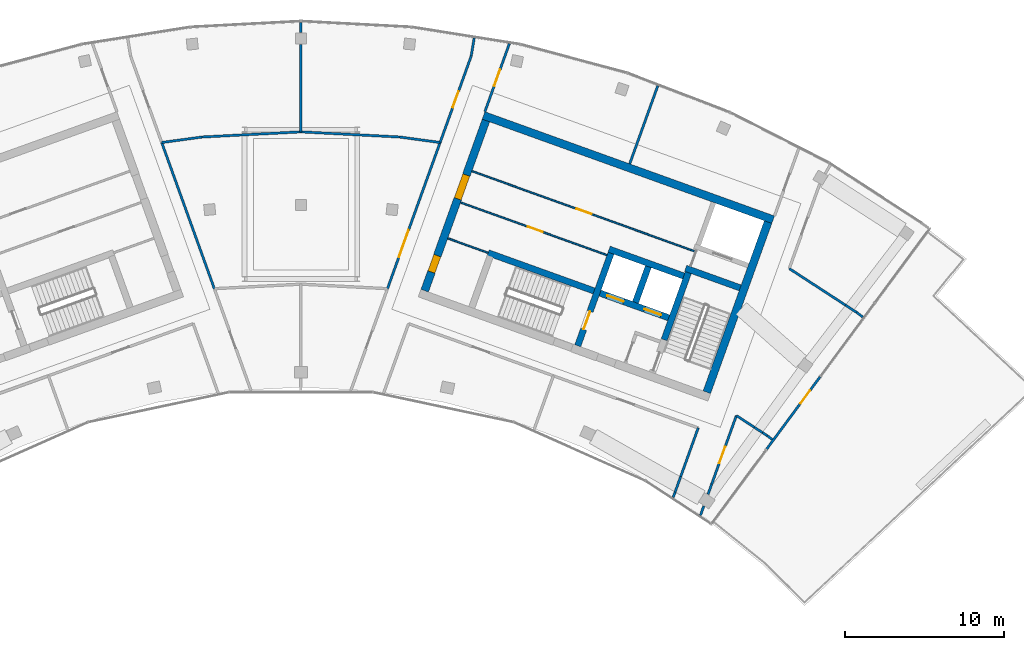
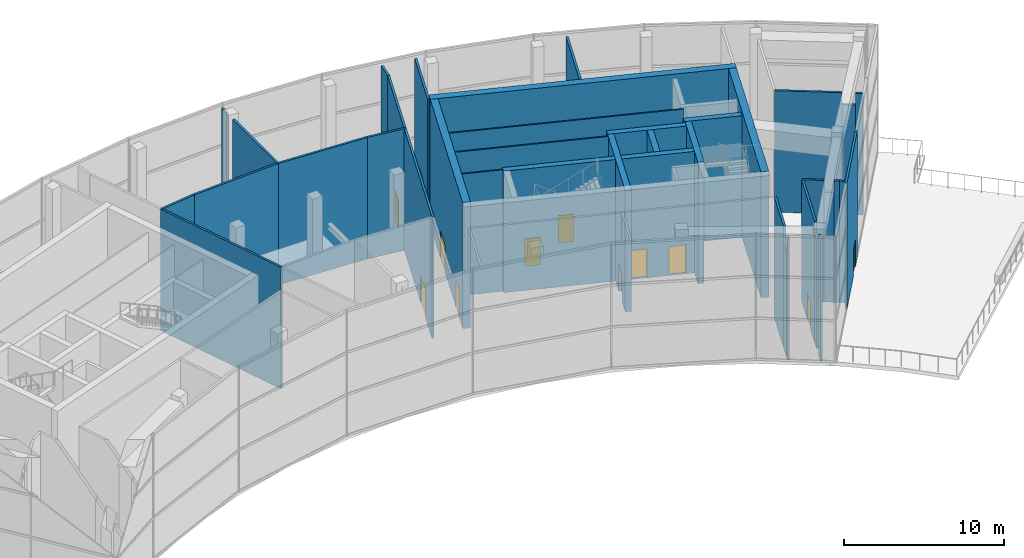
# One storey, part 15 of 20: 38 walls, 12 doors, 12 openings.
"""IFC4 building model written with IfcOpenShell, lengths in metres."""

from ifc_helpers import new_model, si_unit, direction, frame, frame_2d, origin, place, context, subcontext, project, spatial, rectangle, extrude, material, layer, layer_set, type_object, element, fill, save


model = new_model("IFC4")

# Units and contexts
model_context = context("Model", 3, precision=1e-05, world=origin(), true_north=direction((0.0, 1.0)))
body_context = subcontext(model_context, "Body", "Model", "MODEL_VIEW")
ifc_project = project(units=[si_unit("LENGTHUNIT", "METRE"), si_unit("AREAUNIT", "SQUARE_METRE"), si_unit("VOLUMEUNIT", "CUBIC_METRE"), si_unit("PLANEANGLEUNIT", "RADIAN"), si_unit("MASSUNIT", "GRAM", prefix="KILO")], contexts=[model_context])

# Site, building, storey
site_placement = place(None, origin())
site = spatial("IfcSite", under=ifc_project, at=site_placement, CompositionType="ELEMENT")
building_placement = place(site_placement, origin())
building = spatial("IfcBuilding", under=site, at=building_placement, Name="Stone Belt Terrace Tower", CompositionType="ELEMENT")
storey_placement = place(building_placement, frame((0.0, 0.0, 323.0)))
storey = spatial("IfcBuildingStorey", under=building, at=storey_placement, Name="L78", CompositionType="ELEMENT", Elevation=323.0)

# Wall, opening, door
ifc_material_1 = material(Name="Terracotta coloured glazed ceramic", Category="masonry")
ifc_layer_1 = layer(ifc_material_1, 0.14990234375)
ifc_layer_set_1 = layer_set([ifc_layer_1], Name="Ceramic rain-screen wall 150")
wall_type_1 = type_object("IfcWallType", Name="Ceramic rain-screen wall 150", PredefinedType="SOLIDWALL", material=ifc_layer_set_1)
wall_1_placement = place(storey_placement, frame((29.35205078125, 39.597412109375, 0.0), z_axis=(0.0, 0.0, 1.0), x_axis=(0.5942736216, 0.804262931305, 0.0)))
wall_1 = element("IfcWall", 1, at=wall_1_placement, inside=storey, type_object=wall_type_1, Name="Door wall L78", PredefinedType="SOLIDWALL", context=body_context, shape_type="SweptSolid", body=[
    extrude(rectangle(XDim=5.670166015625, YDim=0.14990234375, at=frame_2d((2.8349609375, 0.0))), origin(), (0.0, 0.0, 1.0), 9.60009765625),
])
opening_1_placement = place(wall_1_placement, frame((3.60009765625, 0.0, 0.0)))
opening_1 = element("IfcOpeningElement", 2, at=opening_1_placement, cuts=wall_1, Name="Opening L78-E01", PredefinedType="OPENING", context=body_context, shape_type="SweptSolid", body=[
    extrude(rectangle(XDim=1.0, YDim=2.10009765625, at=frame_2d((0.5, 1.050048828125))), frame((0.0, 0.0849609375, 0.0), z_axis=(0.0, -1.0, 0.0), x_axis=(1.0, 0.0, 0.0)), (0.0, 0.0, 1.0), 0.169921875),
])
ifc_material_2 = material(Name="Anodised aluminium glazed door", Category="aluminium")
door_type_1 = type_object("IfcDoorType", Name="Terrace door 1000 x 2100", OperationType="NOTDEFINED", PredefinedType="DOOR", material=ifc_material_2)
door_1_placement = place(opening_1_placement, origin())
door_1 = element("IfcDoor", 3, at=door_1_placement, inside=storey, type_object=door_type_1, Name="Terrace door L78", OperationType="SINGLE_SWING_RIGHT", OverallHeight=2.10009765625, OverallWidth=1.0, PredefinedType="DOOR", context=body_context, shape_type="SweptSolid", body=[
    extrude(rectangle(XDim=1.0, YDim=2.10009765625, at=frame_2d((0.5, 1.050048828125))), frame((0.0, 0.02490234375, 0.0), z_axis=(0.0, -1.0, 0.0), x_axis=(1.0, 0.0, 0.0)), (0.0, 0.0, 1.0), 0.050048828125),
])
fill(opening_1, door_1)

ifc_material_3 = material(Name="Plasterboard partition")
ifc_layer_2 = layer(ifc_material_3, 0.10009765625)
ifc_layer_set_2 = layer_set([ifc_layer_2], Name="Core partition 100")
wall_type_2 = type_object("IfcWallType", Name="Core partition 100", PredefinedType="PARTITIONING", material=ifc_layer_set_2)
wall_2_placement = place(storey_placement, frame((24.847412109375, 52.061767578125, 0.0), z_axis=(0.0, 0.0, 1.0), x_axis=(-0.940921131887, 0.338625786921, 0.0)))
wall_2 = element("IfcWall", 4, at=wall_2_placement, inside=storey, type_object=wall_type_2, Name="Core B wall", PredefinedType="PARTITIONING", context=body_context, shape_type="SweptSolid", body=[
    extrude(rectangle(XDim=14.9501953125, YDim=0.10009765625, at=frame_2d((7.47509765625, 0.0))), origin(), (0.0, 0.0, 1.0), 9.25),
])
opening_2_placement = place(wall_2_placement, frame((6.949951171875, 0.0, 0.0)))
opening_2 = element("IfcOpeningElement", 5, at=opening_2_placement, cuts=wall_2, Name="Opening L78-C11", PredefinedType="OPENING", context=body_context, shape_type="SweptSolid", body=[
    extrude(rectangle(XDim=1.0, YDim=2.10009765625, at=frame_2d((0.5, 1.050048828125))), frame((0.0, 0.06005859375, 0.0), z_axis=(0.0, -1.0, 0.0), x_axis=(1.0, 0.0, 0.0)), (0.0, 0.0, 1.0), 0.1201171875),
])
ifc_material_4 = material(Name="Timber door leaf", Category="wood")
door_type_2 = type_object("IfcDoorType", Name="Core room door 1000", OperationType="SINGLE_SWING_LEFT", PredefinedType="DOOR", material=ifc_material_4)
door_2_placement = place(opening_2_placement, origin())
door_2 = element("IfcDoor", 6, at=door_2_placement, inside=storey, type_object=door_type_2, Name="Door to Electrical room core B", OperationType="SINGLE_SWING_LEFT", OverallHeight=2.10009765625, OverallWidth=1.0, PredefinedType="DOOR", context=body_context, shape_type="SweptSolid", body=[
    extrude(rectangle(XDim=1.0, YDim=2.10009765625, at=frame_2d((0.5, 1.050048828125))), frame((0.0, 0.02490234375, 0.0), z_axis=(0.0, -1.0, 0.0), x_axis=(1.0, 0.0, 0.0)), (0.0, 0.0, 1.0), 0.050048828125),
])
fill(opening_2, door_2)

wall_3_placement = place(storey_placement, frame((19.29052734375, 51.829833984375, 0.0), z_axis=(0.0, 0.0, 1.0), x_axis=(-0.940925833398, 0.338612722803, 0.0)))
wall_3 = element("IfcWall", 7, at=wall_3_placement, inside=storey, type_object=wall_type_2, Name="Core B wall", PredefinedType="PARTITIONING", context=body_context, shape_type="SweptSolid", body=[
    extrude(rectangle(XDim=9.7998046875, YDim=0.10009765625, at=frame_2d((4.89990234375, 0.0))), origin(), (0.0, 0.0, 1.0), 9.25),
])
opening_3_placement = place(wall_3_placement, frame((4.300048828125, 0.0, 0.0)))
opening_3 = element("IfcOpeningElement", 8, at=opening_3_placement, cuts=wall_3, Name="Opening L78-C12", PredefinedType="OPENING", context=body_context, shape_type="SweptSolid", body=[
    extrude(rectangle(XDim=1.0, YDim=2.10009765625, at=frame_2d((0.5, 1.050048828125))), frame((0.0, 0.06005859375, 0.0), z_axis=(0.0, -1.0, 0.0), x_axis=(1.0, 0.0, 0.0)), (0.0, 0.0, 1.0), 0.1201171875),
])
door_3_placement = place(opening_3_placement, origin())
door_3 = element("IfcDoor", 9, at=door_3_placement, inside=storey, type_object=door_type_2, Name="Door to Ventilation plant room core B", OperationType="SINGLE_SWING_LEFT", OverallHeight=2.10009765625, OverallWidth=1.0, PredefinedType="DOOR", context=body_context, shape_type="SweptSolid", body=[
    extrude(rectangle(XDim=1.0, YDim=2.10009765625, at=frame_2d((0.5, 1.050048828125))), frame((0.0, 0.02490234375, 0.0), z_axis=(0.0, -1.0, 0.0), x_axis=(1.0, 0.0, 0.0)), (0.0, 0.0, 1.0), 0.050048828125),
])
fill(opening_3, door_3)

# Walls
wall_4_placement = place(storey_placement, frame((11.797119140625, 51.975830078125, 0.0), z_axis=(0.0, 0.0, 1.0), x_axis=(-0.940910465161, 0.33865542451, 0.0)))
element("IfcWall", 10, at=wall_4_placement, inside=storey, type_object=wall_type_2, Name="Core B wall", PredefinedType="PARTITIONING", context=body_context, shape_type="SweptSolid", body=[
    extrude(rectangle(XDim=2.69970703125, YDim=0.10009765625, at=frame_2d((1.349853515625, 0.0))), origin(), (0.0, 0.0, 1.0), 9.25),
])
ifc_material_5 = material(Name="Concrete B60", Category="concrete")
ifc_layer_3 = layer(ifc_material_5, 0.5)
ifc_layer_set_3 = layer_set([ifc_layer_3], Name="Core wall 500 B60")
wall_type_3 = type_object("IfcWallType", Name="Core wall 500 B60", PredefinedType="SHEAR", material=ifc_layer_set_3)
wall_5_placement = place(storey_placement, frame((11.51220703125, 60.6337890625, 0.0), z_axis=(0.0, 0.0, 1.0), x_axis=(0.940921417488, -0.338624993336, 0.0)))
element("IfcWall", 11, at=wall_5_placement, inside=storey, type_object=wall_type_3, Name="Core B wall convex L78", PredefinedType="SHEAR", context=body_context, shape_type="SweptSolid", body=[
    extrude(rectangle(XDim=19.400146484375, YDim=0.5, at=frame_2d((9.7001953125, 0.0))), origin(), (0.0, 0.0, 1.0), 9.60009765625),
])

# Wall, openings, doors
wall_6_placement = place(storey_placement, frame((7.802490234375, 49.58740234375, 0.0), z_axis=(0.0, 0.0, 1.0), x_axis=(0.338625431531, 0.940921259788, 0.0)))
wall_6 = element("IfcWall", 12, at=wall_6_placement, inside=storey, type_object=wall_type_3, Name="Core B wall end_a L78", PredefinedType="SHEAR", context=body_context, shape_type="SweptSolid", body=[
    extrude(rectangle(XDim=11.400146484375, YDim=0.5, at=frame_2d((5.7001953125, 0.0))), origin(), (0.0, 0.0, 1.0), 9.60009765625),
])
opening_4_placement = place(wall_6_placement, frame((6.14990234375, 0.0, 0.0)))
opening_4 = element("IfcOpeningElement", 13, at=opening_4_placement, cuts=wall_6, Name="Opening L78-C14", PredefinedType="OPENING", context=body_context, shape_type="SweptSolid", body=[
    extrude(rectangle(XDim=1.60009765625, YDim=2.10009765625, at=frame_2d((0.800048828125, 1.050048828125))), frame((0.0, 0.260009765625, 0.0), z_axis=(0.0, -1.0, 0.0), x_axis=(1.0, 0.0, 0.0)), (0.0, 0.0, 1.0), 0.52001953125),
])
opening_5_placement = place(wall_6_placement, frame((1.25, 0.0, 0.0)))
opening_5 = element("IfcOpeningElement", 14, at=opening_5_placement, cuts=wall_6, Name="Opening L78-C20", PredefinedType="OPENING", context=body_context, shape_type="SweptSolid", body=[
    extrude(rectangle(XDim=1.10009765625, YDim=2.10009765625, at=frame_2d((0.550048828125, 1.050048828125))), frame((0.0, 0.260009765625, 0.0), z_axis=(0.0, -1.0, 0.0), x_axis=(1.0, 0.0, 0.0)), (0.0, 0.0, 1.0), 0.52001953125),
])
door_type_3 = type_object("IfcDoorType", Name="Core room door 1100", OperationType="SINGLE_SWING_LEFT", PredefinedType="DOOR", material=ifc_material_4)
door_4_placement = place(opening_5_placement, origin())
door_4 = element("IfcDoor", 15, at=door_4_placement, inside=storey, type_object=door_type_3, Name="Door to Mechanical plant room core B", OperationType="SINGLE_SWING_LEFT", OverallHeight=2.10009765625, OverallWidth=1.10009765625, PredefinedType="DOOR", context=body_context, shape_type="SweptSolid", body=[
    extrude(rectangle(XDim=1.10009765625, YDim=2.10009765625, at=frame_2d((0.550048828125, 1.050048828125))), frame((0.0, 0.22998046875, 0.0), z_axis=(0.0, -1.0, 0.0), x_axis=(1.0, 0.0, 0.0)), (0.0, 0.0, 1.0), 0.4599609375),
])
fill(opening_5, door_4)
ifc_material_6 = material(Name="Glazed aluminium door leaf", Category="aluminium")
door_type_4 = type_object("IfcDoorType", Name="Lift lobby entrance door 1600", OperationType="DOUBLE_DOOR_SINGLE_SWING", PredefinedType="DOOR", material=ifc_material_6)
door_5_placement = place(opening_4_placement, origin())
door_5 = element("IfcDoor", 16, at=door_5_placement, inside=storey, type_object=door_type_4, Name="Lift lobby entrance door core B", OperationType="DOUBLE_DOOR_SINGLE_SWING", OverallHeight=2.10009765625, OverallWidth=1.60009765625, PredefinedType="DOOR", context=body_context, shape_type="SweptSolid", body=[
    extrude(rectangle(XDim=1.60009765625, YDim=2.10009765625, at=frame_2d((0.800048828125, 1.050048828125))), frame((0.0, 0.22998046875, 0.0), z_axis=(0.0, -1.0, 0.0), x_axis=(1.0, 0.0, 0.0)), (0.0, 0.0, 1.0), 0.4599609375),
])
fill(opening_4, door_5)

# Walls
wall_7_placement = place(storey_placement, frame((25.5859375, 43.1875, 0.0), z_axis=(0.0, 0.0, 1.0), x_axis=(0.338632255135, 0.940918804033, 0.0)))
element("IfcWall", 17, at=wall_7_placement, inside=storey, type_object=wall_type_3, Name="Core B wall end_b L78", PredefinedType="SHEAR", context=body_context, shape_type="SweptSolid", body=[
    extrude(rectangle(XDim=11.39990234375, YDim=0.5, at=frame_2d((5.699951171875, 0.0))), origin(), (0.0, 0.0, 1.0), 9.60009765625),
])
ifc_material_7 = material(Name="Concrete B80", Category="concrete")
ifc_layer_4 = layer(ifc_material_7, 0.39990234375)
ifc_layer_set_4 = layer_set([ifc_layer_4], Name="Fire-fighting lift shaft wall 400")
wall_type_4 = type_object("IfcWallType", Name="Fire-fighting lift shaft wall 400", PredefinedType="SHEAR", material=ifc_layer_set_4)
wall_8_placement = place(storey_placement, frame((24.130615234375, 50.512939453125, 0.0), z_axis=(0.0, 0.0, 1.0), x_axis=(-0.94091168377, 0.338652038744, 0.0)))
element("IfcWall", 18, at=wall_8_placement, inside=storey, type_object=wall_type_4, Name="Core B wall", PredefinedType="SHEAR", context=body_context, shape_type="SweptSolid", body=[
    extrude(rectangle(XDim=5.000244140625, YDim=0.39990234375, at=frame_2d((2.5, 0.0))), origin(), (0.0, 0.0, 1.0), 9.25),
])
wall_9_placement = place(storey_placement, frame((21.0859375, 48.845458984375, 0.0), z_axis=(0.0, 0.0, 1.0), x_axis=(0.338629416206, 0.940919825745, 0.0)))
element("IfcWall", 19, at=wall_9_placement, inside=storey, type_object=wall_type_4, Name="Core B wall", PredefinedType="SHEAR", context=body_context, shape_type="SweptSolid", body=[
    extrude(rectangle(XDim=2.400146484375, YDim=0.39990234375, at=frame_2d((1.2001953125, 0.0))), origin(), (0.0, 0.0, 1.0), 9.25),
])
ifc_material_8 = material(Name="Gypsum board partition")
ifc_layer_5 = layer(ifc_material_8, 0.14990234375)
ifc_layer_set_5 = layer_set([ifc_layer_5], Name="PARTITION 150 EI 60")
wall_type_5 = type_object("IfcWallType", Name="PARTITION 150 EI 60", PredefinedType="PARTITIONING", material=ifc_layer_set_5)
wall_10_placement = place(storey_placement, frame((-8.77490234375, 58.93408203125, 0.0), z_axis=(0.0, 0.0, 1.0), x_axis=(0.338630591148, -0.940919402892, 0.0)))
element("IfcWall", 20, at=wall_10_placement, inside=storey, type_object=wall_type_5, Name="L78/wall/i016", PredefinedType="PARTITIONING", context=body_context, shape_type="SweptSolid", body=[
    extrude(rectangle(XDim=9.824462890625, YDim=0.14990234375, at=frame_2d((4.912109375, 0.0))), origin(), (0.0, 0.0, 1.0), 9.25),
])

# Wall, opening, door
wall_11_placement = place(storey_placement, frame((13.138916015625, 65.153076171875, 0.0), z_axis=(0.0, 0.0, 1.0), x_axis=(-0.338658709295, -0.940909282885, 0.0)))
wall_11 = element("IfcWall", 21, at=wall_11_placement, inside=storey, type_object=wall_type_5, Name="L78/wall/i022", PredefinedType="PARTITIONING", context=body_context, shape_type="SweptSolid", body=[
    extrude(rectangle(XDim=4.55322265625, YDim=0.14990234375, at=frame_2d((2.276611328125, 0.0))), origin(), (0.0, 0.0, 1.0), 9.25),
])
opening_6_placement = place(wall_11_placement, frame((1.7265625, 0.0, 0.0)))
opening_6 = element("IfcOpeningElement", 22, at=opening_6_placement, cuts=wall_11, Name="Opening D-C78-07", PredefinedType="OPENING", context=body_context, shape_type="SweptSolid", body=[
    extrude(rectangle(XDim=1.10009765625, YDim=2.10009765625, at=frame_2d((0.550048828125, 1.050048828125))), frame((0.0, 0.0849609375, 0.0), z_axis=(0.0, -1.0, 0.0), x_axis=(1.0, 0.0, 0.0)), (0.0, 0.0, 1.0), 0.169921875),
])
ifc_material_9 = material(Name="Steel fire door set", Category="steel")
door_type_5 = type_object("IfcDoorType", Name="SERVICE ROOM DOOR 1100 X 2100", OperationType="NOTDEFINED", PredefinedType="DOOR", material=ifc_material_9)
door_6_placement = place(opening_6_placement, origin())
door_6 = element("IfcDoor", 23, at=door_6_placement, inside=storey, type_object=door_type_5, Name="L78/door/i07", OperationType="SINGLE_SWING_RIGHT", OverallHeight=2.10009765625, OverallWidth=1.10009765625, PredefinedType="DOOR", context=body_context, shape_type="SweptSolid", body=[
    extrude(rectangle(XDim=1.10009765625, YDim=2.10009765625, at=frame_2d((0.550048828125, 1.050048828125))), frame((0.0, 0.02490234375, 0.0), z_axis=(0.0, -1.0, 0.0), x_axis=(1.0, 0.0, 0.0)), (0.0, 0.0, 1.0), 0.050048828125),
])
fill(opening_6, door_6)

wall_12_placement = place(storey_placement, frame((8.77099609375, 58.922119140625, 0.0), z_axis=(0.0, 0.0, 1.0), x_axis=(0.338655299011, 0.940910510331, 0.0)))
wall_12 = element("IfcWall", 24, at=wall_12_placement, inside=storey, type_object=wall_type_5, Name="L78/wall/i024", PredefinedType="PARTITIONING", context=body_context, shape_type="SweptSolid", body=[
    extrude(rectangle(XDim=5.793212890625, YDim=0.14990234375, at=frame_2d((2.896484375, 0.0))), origin(), (0.0, 0.0, 1.0), 9.25),
])
opening_7_placement = place(wall_12_placement, frame((2.3466796875, 0.0, 0.0)))
opening_7 = element("IfcOpeningElement", 25, at=opening_7_placement, cuts=wall_12, Name="Opening D-C78-16", PredefinedType="OPENING", context=body_context, shape_type="SweptSolid", body=[
    extrude(rectangle(XDim=1.10009765625, YDim=2.10009765625, at=frame_2d((0.550048828125, 1.050048828125))), frame((0.0, 0.0849609375, 0.0), z_axis=(0.0, -1.0, 0.0), x_axis=(1.0, 0.0, 0.0)), (0.0, 0.0, 1.0), 0.169921875),
])
door_7_placement = place(opening_7_placement, origin())
door_7 = element("IfcDoor", 26, at=door_7_placement, inside=storey, type_object=door_type_5, Name="L78/door/i16", OperationType="SINGLE_SWING_RIGHT", OverallHeight=2.10009765625, OverallWidth=1.10009765625, PredefinedType="DOOR", context=body_context, shape_type="SweptSolid", body=[
    extrude(rectangle(XDim=1.10009765625, YDim=2.10009765625, at=frame_2d((0.550048828125, 1.050048828125))), frame((0.0, 0.02490234375, 0.0), z_axis=(0.0, -1.0, 0.0), x_axis=(1.0, 0.0, 0.0)), (0.0, 0.0, 1.0), 0.050048828125),
])
fill(opening_7, door_7)

# Wall
wall_13_placement = place(storey_placement, frame((10.73291015625, 64.3740234375, 0.0), z_axis=(0.0, 0.0, 1.0), x_axis=(0.165330548081, 0.986238211525, 0.0)))
element("IfcWall", 27, at=wall_13_placement, inside=storey, type_object=wall_type_5, Name="L78/wall/i025", PredefinedType="PARTITIONING", context=body_context, shape_type="SweptSolid", body=[
    extrude(rectangle(XDim=1.1474609375, YDim=0.14990234375, at=frame_2d((0.57373046875, 0.0))), origin(), (0.0, 0.0, 1.0), 9.25),
])

# Wall, opening, door
wall_14_placement = place(storey_placement, frame((5.447998046875, 49.68994140625, 0.0), z_axis=(0.0, 0.0, 1.0), x_axis=(0.338630591148, 0.940919402892, 0.0)))
wall_14 = element("IfcWall", 28, at=wall_14_placement, inside=storey, type_object=wall_type_5, Name="L78/wall/i026", PredefinedType="PARTITIONING", context=body_context, shape_type="SweptSolid", body=[
    extrude(rectangle(XDim=9.824462890625, YDim=0.14990234375, at=frame_2d((4.912109375, 0.0))), origin(), (0.0, 0.0, 1.0), 9.25),
])
opening_8_placement = place(wall_14_placement, frame((2.156005859375, 0.0, 0.0)))
opening_8 = element("IfcOpeningElement", 29, at=opening_8_placement, cuts=wall_14, Name="Opening D-C78-17", PredefinedType="OPENING", context=body_context, shape_type="SweptSolid", body=[
    extrude(rectangle(XDim=1.800048828125, YDim=2.10009765625, at=frame_2d((0.89990234375, 1.050048828125))), frame((0.0, 0.0849609375, 0.0), z_axis=(0.0, -1.0, 0.0), x_axis=(1.0, 0.0, 0.0)), (0.0, 0.0, 1.0), 0.169921875),
])
door_type_6 = type_object("IfcDoorType", Name="DOUBLE DOOR 1800 X 2100", OperationType="DOUBLE_DOOR_SINGLE_SWING", PredefinedType="DOOR", material=ifc_material_4)
door_8_placement = place(opening_8_placement, origin())
door_8 = element("IfcDoor", 30, at=door_8_placement, inside=storey, type_object=door_type_6, Name="L78/door/i17", OperationType="DOUBLE_DOOR_SINGLE_SWING", OverallHeight=2.10009765625, OverallWidth=1.800048828125, PredefinedType="DOOR", context=body_context, shape_type="SweptSolid", body=[
    extrude(rectangle(XDim=1.800048828125, YDim=2.10009765625, at=frame_2d((0.89990234375, 1.050048828125))), frame((0.0, 0.02490234375, 0.0), z_axis=(0.0, -1.0, 0.0), x_axis=(1.0, 0.0, 0.0)), (0.0, 0.0, 1.0), 0.050048828125),
])
fill(opening_8, door_8)

# Walls
wall_15_placement = place(storey_placement, frame((23.466064453125, 36.56396484375, 0.0), z_axis=(0.0, 0.0, 1.0), x_axis=(0.338619334667, 0.940923453948, 0.0)))
element("IfcWall", 31, at=wall_15_placement, inside=storey, type_object=wall_type_5, Name="L78/wall/i027-1", PredefinedType="PARTITIONING", context=body_context, shape_type="SweptSolid", body=[
    extrude(rectangle(XDim=0.345458984375, YDim=0.14990234375, at=frame_2d((0.1728515625, 0.0))), origin(), (0.0, 0.0, 1.0), 9.25),
])
wall_16_placement = place(storey_placement, frame((23.5830078125, 36.888916015625, 0.0), z_axis=(0.0, 0.0, 1.0), x_axis=(0.339085061731, 0.940755717979, 0.0)))
element("IfcWall", 32, at=wall_16_placement, inside=storey, type_object=wall_type_5, Name="L78/wall/i027-2", PredefinedType="PARTITIONING", context=body_context, shape_type="SweptSolid", body=[
    extrude(rectangle(XDim=1.040283203125, YDim=0.14990234375, at=frame_2d((0.52001953125, 0.0))), origin(), (0.0, 0.0, 1.0), 7.85009765625),
])
wall_17_placement = place(storey_placement, frame((23.935791015625, 37.86767578125, 0.0), z_axis=(0.0, 0.0, 1.0), x_axis=(0.33879876068, 0.940858862828, 0.0)))
element("IfcWall", 33, at=wall_17_placement, inside=storey, type_object=wall_type_5, Name="L78/wall/i027-3", PredefinedType="PARTITIONING", context=body_context, shape_type="SweptSolid", body=[
    extrude(rectangle(XDim=3.270751953125, YDim=0.14990234375, at=frame_2d((1.63525390625, 0.0))), origin(), (0.0, 0.0, 1.0), 9.25),
])
wall_18_placement = place(storey_placement, frame((29.709716796875, 40.20751953125, 0.0), z_axis=(0.0, 0.0, 1.0), x_axis=(-0.796640936155, 0.604452825986, 0.0)))
element("IfcWall", 34, at=wall_18_placement, inside=storey, type_object=wall_type_5, Name="L78/wall/i029", PredefinedType="PARTITIONING", context=body_context, shape_type="SweptSolid", body=[
    extrude(rectangle(XDim=0.402587890625, YDim=0.14990234375, at=frame_2d((0.201171875, 0.0))), origin(), (0.0, 0.0, 1.0), 9.25),
])
wall_19_placement = place(storey_placement, frame((29.388916015625, 40.450927734375, 0.0), z_axis=(0.0, 0.0, 1.0), x_axis=(-0.837954004387, 0.545740860236, 0.0)))
element("IfcWall", 35, at=wall_19_placement, inside=storey, type_object=wall_type_5, Name="L78/wall/i030-1", PredefinedType="PARTITIONING", context=body_context, shape_type="SweptSolid", body=[
    extrude(rectangle(XDim=0.353515625, YDim=0.14990234375, at=frame_2d((0.1767578125, 0.0))), origin(), (0.0, 0.0, 1.0), 9.25),
])
wall_20_placement = place(storey_placement, frame((29.0927734375, 40.643798828125, 0.0), z_axis=(0.0, 0.0, 1.0), x_axis=(-0.838049275075, 0.545594549594, 0.0)))
element("IfcWall", 36, at=wall_20_placement, inside=storey, type_object=wall_type_5, Name="L78/wall/i030-2", PredefinedType="PARTITIONING", context=body_context, shape_type="SweptSolid", body=[
    extrude(rectangle(XDim=0.608642578125, YDim=0.14990234375, at=frame_2d((0.30419921875, 0.0))), origin(), (0.0, 0.0, 1.0), 8.35009765625),
])
wall_21_placement = place(storey_placement, frame((28.582763671875, 40.975830078125, 0.0), z_axis=(0.0, 0.0, 1.0), x_axis=(-0.837998084707, 0.545673171437, 0.0)))
element("IfcWall", 37, at=wall_21_placement, inside=storey, type_object=wall_type_5, Name="L78/wall/i030-3", PredefinedType="PARTITIONING", context=body_context, shape_type="SweptSolid", body=[
    extrude(rectangle(XDim=1.35302734375, YDim=0.14990234375, at=frame_2d((0.676513671875, 0.0))), origin(), (0.0, 0.0, 1.0), 9.25),
])

# Wall, opening, door
wall_22_placement = place(storey_placement, frame((27.446044921875, 41.7099609375, 0.0), z_axis=(0.0, 0.0, 1.0), x_axis=(-0.338907948828, -0.940819537542, 0.0)))
wall_22 = element("IfcWall", 38, at=wall_22_placement, inside=storey, type_object=wall_type_5, Name="L78/wall/i031-1", PredefinedType="PARTITIONING", context=body_context, shape_type="SweptSolid", body=[
    extrude(rectangle(XDim=4.586669921875, YDim=0.14990234375, at=frame_2d((2.29345703125, 0.0))), origin(), (0.0, 0.0, 1.0), 9.25),
])
opening_9_placement = place(wall_22_placement, frame((2.083984375, 0.0, 0.0)))
opening_9 = element("IfcOpeningElement", 39, at=opening_9_placement, cuts=wall_22, Name="Opening D-C78-11", PredefinedType="OPENING", context=body_context, shape_type="SweptSolid", body=[
    extrude(rectangle(XDim=1.10009765625, YDim=2.10009765625, at=frame_2d((0.550048828125, 1.050048828125))), frame((0.0, 0.0849609375, 0.0), z_axis=(0.0, -1.0, 0.0), x_axis=(1.0, 0.0, 0.0)), (0.0, 0.0, 1.0), 0.169921875),
])
door_9_placement = place(opening_9_placement, origin())
door_9 = element("IfcDoor", 40, at=door_9_placement, inside=storey, type_object=door_type_5, Name="L78/door/i11", OperationType="SINGLE_SWING_RIGHT", OverallHeight=2.10009765625, OverallWidth=1.10009765625, PredefinedType="DOOR", context=body_context, shape_type="SweptSolid", body=[
    extrude(rectangle(XDim=1.10009765625, YDim=2.10009765625, at=frame_2d((0.550048828125, 1.050048828125))), frame((0.0, 0.02490234375, 0.0), z_axis=(0.0, -1.0, 0.0), x_axis=(1.0, 0.0, 0.0)), (0.0, 0.0, 1.0), 0.050048828125),
])
fill(opening_9, door_9)

# Walls
wall_23_placement = place(storey_placement, frame((25.8916015625, 37.394775390625, 0.0), z_axis=(0.0, 0.0, 1.0), x_axis=(-0.33903672041, -0.940773140674, 0.0)))
element("IfcWall", 41, at=wall_23_placement, inside=storey, type_object=wall_type_5, Name="L78/wall/i031-2", PredefinedType="PARTITIONING", context=body_context, shape_type="SweptSolid", body=[
    extrude(rectangle(XDim=0.68115234375, YDim=0.14990234375, at=frame_2d((0.340576171875, 0.0))), origin(), (0.0, 0.0, 1.0), 8.35009765625),
])
wall_24_placement = place(storey_placement, frame((25.3935546875, 36.012451171875, 0.0), z_axis=(0.0, 0.0, 1.0), x_axis=(-0.338857704369, -0.940837635402, 0.0)))
element("IfcWall", 42, at=wall_24_placement, inside=storey, type_object=wall_type_5, Name="L78/wall/i032", PredefinedType="PARTITIONING", context=body_context, shape_type="SweptSolid", body=[
    extrude(rectangle(XDim=0.62548828125, YDim=0.14990234375, at=frame_2d((0.312744140625, 0.0))), origin(), (0.0, 0.0, 1.0), 9.25),
])
wall_25_placement = place(storey_placement, frame((30.784912109375, 50.97998046875, 0.0), z_axis=(0.0, 0.0, 1.0), x_axis=(0.83823734413, -0.545305561045, 0.0)))
element("IfcWall", 43, at=wall_25_placement, inside=storey, type_object=wall_type_5, Name="L78/wall/i035-1", PredefinedType="PARTITIONING", context=body_context, shape_type="SweptSolid", body=[
    extrude(rectangle(XDim=4.2197265625, YDim=0.14990234375, at=frame_2d((2.10986328125, 0.0))), origin(), (0.0, 0.0, 1.0), 9.25),
])
wall_26_placement = place(storey_placement, frame((34.322021484375, 48.678955078125, 0.0), z_axis=(0.0, 0.0, 1.0), x_axis=(0.838206459551, -0.545353033518, 0.0)))
element("IfcWall", 44, at=wall_26_placement, inside=storey, type_object=wall_type_5, Name="L78/wall/i035-2", PredefinedType="PARTITIONING", context=body_context, shape_type="SweptSolid", body=[
    extrude(rectangle(XDim=0.846923828125, YDim=0.14990234375, at=frame_2d((0.42333984375, 0.0))), origin(), (0.0, 0.0, 1.0), 8.35009765625),
])
wall_27_placement = place(storey_placement, frame((35.031982421875, 48.217041015625, 0.0), z_axis=(0.0, 0.0, 1.0), x_axis=(0.797773913183, -0.602956701136, 0.0)))
element("IfcWall", 45, at=wall_27_placement, inside=storey, type_object=wall_type_5, Name="L78/wall/i036", PredefinedType="PARTITIONING", context=body_context, shape_type="SweptSolid", body=[
    extrude(rectangle(XDim=0.474853515625, YDim=0.14990234375, at=frame_2d((0.2373046875, 0.0))), origin(), (0.0, 0.0, 1.0), 9.25),
])
wall_28_placement = place(storey_placement, frame((22.492919921875, 62.4990234375, 0.0), z_axis=(0.0, 0.0, 1.0), x_axis=(-0.338615199904, -0.940924941956, 0.0)))
element("IfcWall", 46, at=wall_28_placement, inside=storey, type_object=wall_type_5, Name="L78/wall/i040", PredefinedType="PARTITIONING", context=body_context, shape_type="SweptSolid", body=[
    extrude(rectangle(XDim=5.2236328125, YDim=0.14990234375, at=frame_2d((2.61181640625, 0.0))), origin(), (0.0, 0.0, 1.0), 9.25),
])
wall_29_placement = place(storey_placement, frame((0.0, 66.5, 0.0), z_axis=(0.0, 0.0, 1.0), x_axis=(0.0, -1.0, 0.0)))
element("IfcWall", 47, at=wall_29_placement, inside=storey, type_object=wall_type_5, Name="L78/wall/i047", PredefinedType="PARTITIONING", context=body_context, shape_type="SweptSolid", body=[
    extrude(rectangle(XDim=0.631103515625, YDim=0.14990234375, at=frame_2d((0.3154296875, 0.0))), origin(), (0.0, 0.0, 1.0), 9.25),
])
wall_30_placement = place(storey_placement, frame((0.0, 65.10888671875, 0.0), z_axis=(0.0, 0.0, 1.0), x_axis=(0.0, -1.0, 0.0)))
element("IfcWall", 48, at=wall_30_placement, inside=storey, type_object=wall_type_5, Name="L78/wall/i048", PredefinedType="PARTITIONING", context=body_context, shape_type="SweptSolid", body=[
    extrude(rectangle(XDim=5.5087890625, YDim=0.14990234375, at=frame_2d((2.75439453125, 0.0))), origin(), (0.0, 0.0, 1.0), 9.25),
])
wall_31_placement = place(storey_placement, frame((0.0, 59.60009765625, 0.0), z_axis=(0.0, 0.0, 1.0), x_axis=(-0.998632277626, -0.052283592872, 0.0)))
element("IfcWall", 49, at=wall_31_placement, inside=storey, type_object=wall_type_5, Name="L78/wall/i049", PredefinedType="PARTITIONING", context=body_context, shape_type="SweptSolid", body=[
    extrude(rectangle(XDim=6.238525390625, YDim=0.14990234375, at=frame_2d((3.119140625, 0.0))), origin(), (0.0, 0.0, 1.0), 9.25),
])
for number, where, z_axis, x_axis, name in (
    (50, (-6.22998046875, 59.27392578125, 0.0), (0.0, 0.0, 1.0), (-0.990872955641, -0.134799057041, 0.0), "L78/wall/i050"),
    (51, (8.77294921875, 58.927978515625, 0.0), (0.0, 0.0, 1.0), (-0.990872955641, 0.134799057041, 0.0), "L78/wall/i051"),
):
    element("IfcWall", number, at=place(storey_placement, frame(where, z_axis=z_axis, x_axis=x_axis)), inside=storey, type_object=wall_type_5, Name=name, PredefinedType="PARTITIONING", context=body_context, shape_type="SweptSolid", body=[
        extrude(rectangle(XDim=2.56640625, YDim=0.14990234375, at=frame_2d((1.283203125, 0.0))), origin(), (0.0, 0.0, 1.0), 9.25),
    ])
wall_32_placement = place(storey_placement, frame((6.22998046875, 59.27392578125, 0.0), z_axis=(0.0, 0.0, 1.0), x_axis=(-0.998632277626, 0.052283592872, 0.0)))
element("IfcWall", 52, at=wall_32_placement, inside=storey, type_object=wall_type_5, Name="L78/wall/i052", PredefinedType="PARTITIONING", context=body_context, shape_type="SweptSolid", body=[
    extrude(rectangle(XDim=6.238525390625, YDim=0.14990234375, at=frame_2d((3.119140625, 0.0))), origin(), (0.0, 0.0, 1.0), 9.25),
])
ifc_layer_6 = layer(ifc_material_7, 0.39990234375)
ifc_layer_set_6 = layer_set([ifc_layer_6], Name="Stair enclosure wall 400")
wall_type_6 = type_object("IfcWallType", Name="Stair enclosure wall 400", PredefinedType="SHEAR", material=ifc_layer_set_6)
wall_33_placement = place(storey_placement, frame((27.687255859375, 49.764404296875, 0.0), z_axis=(0.0, 0.0, 1.0), x_axis=(-0.940918954884, 0.338631835981, 0.0)))
element("IfcWall", 53, at=wall_33_placement, inside=storey, type_object=wall_type_6, Name="Core B wall", PredefinedType="SHEAR", context=body_context, shape_type="SweptSolid", body=[
    extrude(rectangle(XDim=3.650146484375, YDim=0.39990234375, at=frame_2d((1.8251953125, 0.0))), origin(), (0.0, 0.0, 1.0), 9.25),
])
wall_34_placement = place(storey_placement, frame((22.896484375, 46.493408203125, 0.0), z_axis=(0.0, 0.0, 1.0), x_axis=(0.338648384874, 0.940912998859, 0.0)))
element("IfcWall", 54, at=wall_34_placement, inside=storey, type_object=wall_type_6, Name="Core B wall", PredefinedType="SHEAR", context=body_context, shape_type="SweptSolid", body=[
    extrude(rectangle(XDim=4.5, YDim=0.39990234375, at=frame_2d((2.25, 0.0))), origin(), (0.0, 0.0, 1.0), 9.25),
])

# Wall, openings, doors
wall_35_placement = place(storey_placement, frame((23.182373046875, 47.87841796875, 0.0), z_axis=(0.0, 0.0, 1.0), x_axis=(-0.940921101762, 0.338625870628, 0.0)))
wall_35 = element("IfcWall", 55, at=wall_35_placement, inside=storey, type_object=wall_type_6, Name="Core B wall", PredefinedType="SHEAR", context=body_context, shape_type="SweptSolid", body=[
    extrude(rectangle(XDim=12.10009765625, YDim=0.39990234375, at=frame_2d((6.050048828125, 0.0))), origin(), (0.0, 0.0, 1.0), 9.25),
])
opening_10_placement = place(wall_35_placement, frame((0.52001953125, 0.0, 0.0)))
opening_10 = element("IfcOpeningElement", 56, at=opening_10_placement, cuts=wall_35, Name="Opening L78-LD04", PredefinedType="OPENING", context=body_context, shape_type="SweptSolid", body=[
    extrude(rectangle(XDim=1.10009765625, YDim=2.199951171875, at=frame_2d((0.550048828125, 1.10009765625))), frame((0.0, 0.2099609375, 0.0), z_axis=(0.0, -1.0, 0.0), x_axis=(1.0, 0.0, 0.0)), (0.0, 0.0, 1.0), 0.419921875),
])
opening_11_placement = place(wall_35_placement, frame((3.02001953125, 0.0, 0.0)))
opening_11 = element("IfcOpeningElement", 57, at=opening_11_placement, cuts=wall_35, Name="Opening L78-LD05", PredefinedType="OPENING", context=body_context, shape_type="SweptSolid", body=[
    extrude(rectangle(XDim=1.10009765625, YDim=2.199951171875, at=frame_2d((0.550048828125, 1.10009765625))), frame((0.0, 0.2099609375, 0.0), z_axis=(0.0, -1.0, 0.0), x_axis=(1.0, 0.0, 0.0)), (0.0, 0.0, 1.0), 0.419921875),
])
ifc_material_10 = material(Name="Stainless steel door leaf", Category="steel")
door_type_7 = type_object("IfcDoorType", Name="Landing door 1100", OperationType="SLIDING_TO_LEFT", PredefinedType="DOOR", material=ifc_material_10)
door_10_placement = place(opening_10_placement, origin())
door_10 = element("IfcDoor", 58, at=door_10_placement, inside=storey, type_object=door_type_7, Name="Landing door FF1 core B", OperationType="SLIDING_TO_LEFT", OverallHeight=2.199951171875, OverallWidth=1.10009765625, PredefinedType="DOOR", context=body_context, shape_type="SweptSolid", body=[
    extrude(rectangle(XDim=1.10009765625, YDim=2.199951171875, at=frame_2d((0.550048828125, 1.10009765625))), frame((0.0, 0.02490234375, 0.0), z_axis=(0.0, -1.0, 0.0), x_axis=(1.0, 0.0, 0.0)), (0.0, 0.0, 1.0), 0.050048828125),
])
fill(opening_10, door_10)
door_11_placement = place(opening_11_placement, origin())
door_11 = element("IfcDoor", 59, at=door_11_placement, inside=storey, type_object=door_type_7, Name="Landing door FF2 core B", OperationType="SLIDING_TO_LEFT", OverallHeight=2.199951171875, OverallWidth=1.10009765625, PredefinedType="DOOR", context=body_context, shape_type="SweptSolid", body=[
    extrude(rectangle(XDim=1.10009765625, YDim=2.199951171875, at=frame_2d((0.550048828125, 1.10009765625))), frame((0.0, 0.02490234375, 0.0), z_axis=(0.0, -1.0, 0.0), x_axis=(1.0, 0.0, 0.0)), (0.0, 0.0, 1.0), 0.050048828125),
])
fill(opening_11, door_11)

# Wall, opening, door
wall_36_placement = place(storey_placement, frame((17.447021484375, 46.116455078125, 0.0), z_axis=(0.0, 0.0, 1.0), x_axis=(0.33860791464, 0.940927563707, 0.0)))
wall_36 = element("IfcWall", 60, at=wall_36_placement, inside=storey, type_object=wall_type_6, Name="Core B wall", PredefinedType="SHEAR", context=body_context, shape_type="SweptSolid", body=[
    extrude(rectangle(XDim=6.199951171875, YDim=0.39990234375, at=frame_2d((3.10009765625, 0.0))), origin(), (0.0, 0.0, 1.0), 9.25),
])
opening_12_placement = place(wall_36_placement, frame((1.10009765625, 0.0, 0.0)))
opening_12 = element("IfcOpeningElement", 61, at=opening_12_placement, cuts=wall_36, Name="Opening L78-C18", PredefinedType="OPENING", context=body_context, shape_type="SweptSolid", body=[
    extrude(rectangle(XDim=1.199951171875, YDim=2.10009765625, at=frame_2d((0.60009765625, 1.050048828125))), frame((0.0, 0.2099609375, 0.0), z_axis=(0.0, -1.0, 0.0), x_axis=(1.0, 0.0, 0.0)), (0.0, 0.0, 1.0), 0.419921875),
])
ifc_material_11 = material(Name="Steel door leaf", Category="steel")
door_type_8 = type_object("IfcDoorType", Name="Stair door 1200", OperationType="SINGLE_SWING_LEFT", PredefinedType="DOOR", material=ifc_material_11)
door_12_placement = place(opening_12_placement, origin())
door_12 = element("IfcDoor", 62, at=door_12_placement, inside=storey, type_object=door_type_8, Name="Stair 2 door core B", OperationType="SINGLE_SWING_LEFT", OverallHeight=2.10009765625, OverallWidth=1.199951171875, PredefinedType="DOOR", context=body_context, shape_type="SweptSolid", body=[
    extrude(rectangle(XDim=1.199951171875, YDim=2.10009765625, at=frame_2d((0.60009765625, 1.050048828125))), frame((0.0, 0.02490234375, 0.0), z_axis=(0.0, -1.0, 0.0), x_axis=(1.0, 0.0, 0.0)), (0.0, 0.0, 1.0), 0.050048828125),
])
fill(opening_12, door_12)

save(model, "model.ifc")
